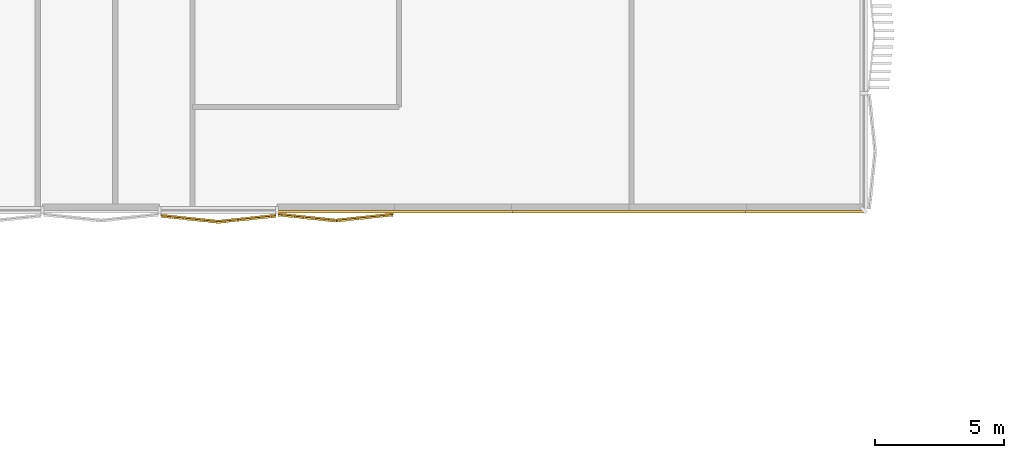
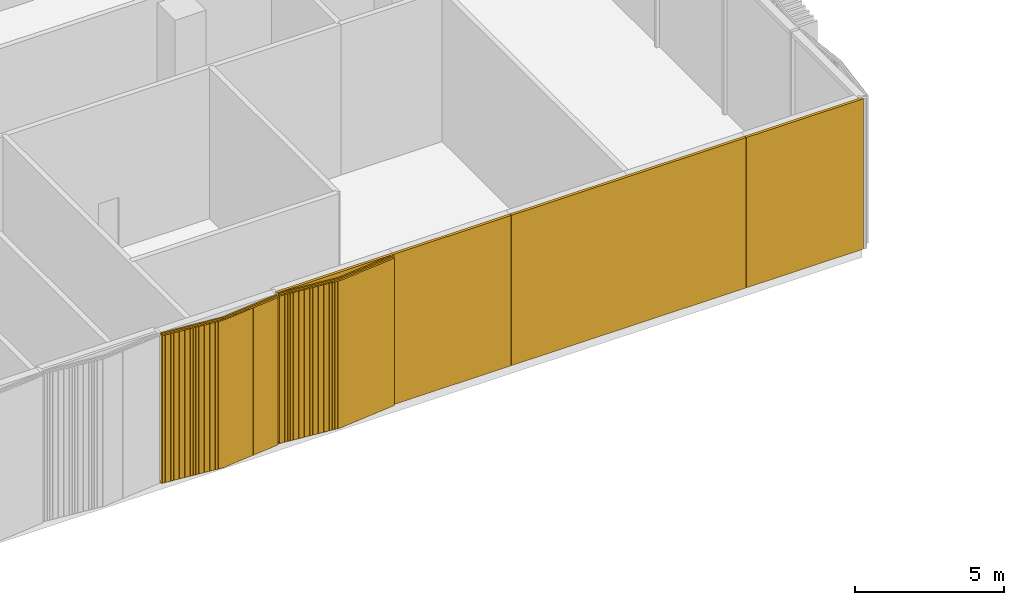
# One storey, part 23 of 32: 5 coverings.
"""IFC4 building model written with IfcOpenShell, lengths in metres."""

from ifc_helpers import new_model, si_unit, direction, frame, frame_2d, origin, origin_2d, place, context, subcontext, project, spatial, rectangle, extrude, source, transform, mapped, material, layer, layer_set, type_object, element, save


model = new_model("IFC4")

# Units and contexts
model_context = context("Model", 3, precision=1e-05, world=origin(), true_north=direction((0.0, 1.0)))
body_context = subcontext(model_context, "Body", "Model", "MODEL_VIEW")
ifc_project = project(units=[si_unit("LENGTHUNIT", "METRE"), si_unit("AREAUNIT", "SQUARE_METRE"), si_unit("VOLUMEUNIT", "CUBIC_METRE"), si_unit("PLANEANGLEUNIT", "RADIAN"), si_unit("MASSUNIT", "GRAM", prefix="KILO")], contexts=[model_context])

# Site, building, storey
site_placement = place(None, origin())
site = spatial("IfcSite", under=ifc_project, at=site_placement, CompositionType="ELEMENT")
building_placement = place(site_placement, origin())
building = spatial("IfcBuilding", under=site, at=building_placement, Name="Tamra Quay Hotel Tower", CompositionType="ELEMENT")
storey_placement = place(building_placement, frame((0.0, 0.0, 7.5)))
storey = spatial("IfcBuildingStorey", under=building, at=storey_placement, Name="L01", CompositionType="ELEMENT", Elevation=7.5)

# Coverings
ifc_material_1 = material(Name="Precast concrete M60 terracotta-coloured pierced relief", Category="masonry")
ifc_layer = layer(ifc_material_1, 0.10009765625)
ifc_layer_set = layer_set([ifc_layer], Name="PIERCED RELIEF PANEL 100")
covering_type_1 = type_object("IfcCoveringType", Name="PIERCED RELIEF PANEL 100", PredefinedType="CLADDING", material=ifc_layer_set)
for number, where, z_axis, x_axis, name in (
    (1, (-48.1845703125, -32.050048828125, 0.0), (0.0, 0.0, 1.0), (1.0, 0.0, 0.0), "Relief panel L01.SW.18"),
    (2, (-39.09228515625, -32.050048828125, 0.0), (0.0, 0.0, 1.0), (1.0, 0.0, 0.0), "Relief panel L01.SW.20"),
):
    element("IfcCovering", number, at=place(storey_placement, frame(where, z_axis=z_axis, x_axis=x_axis)), inside=storey, type_object=covering_type_1, Name=name, PredefinedType="CLADDING", context=body_context, shape_type="SweptSolid", body=[
        extrude(rectangle(XDim=9.072265625, YDim=0.10009765625, at=origin_2d()), origin(), (0.0, 0.0, 1.0), 6.14990234375),
    ])
covering_1_placement = place(storey_placement, frame((-32.273193359375, -32.050048828125, 0.0), z_axis=(0.0, 0.0, 1.0), x_axis=(1.0, 0.0, 0.0)))
element("IfcCovering", 3, at=covering_1_placement, inside=storey, type_object=covering_type_1, Name="Relief panel L01.SW.22", PredefinedType="CLADDING", context=body_context, shape_type="SweptSolid", body=[
    extrude(rectangle(XDim=4.526123046875, YDim=0.10009765625, at=origin_2d()), origin(), (0.0, 0.0, 1.0), 6.14990234375),
])
ifc_material_2 = material(Name="Terracotta baguette extruded", Category="masonry")
covering_type_2 = type_object("IfcCoveringType", Name="BAGUETTE SCREEN PODIUM-SHALLOW H6150", PredefinedType="USERDEFINED", material=ifc_material_2)
shared_shape_1 = source(origin(), body_context, "Body", "SweptSolid", [
    extrude(rectangle(XDim=2.244873046875, YDim=0.06005859375, at=frame_2d((1.12255859375, 0.030029296875))), frame((-2.23876953125, -0.0576171875, -0.1201171875), z_axis=(0.0, 0.0, 1.0), x_axis=(0.994521895368, -0.104528463268, 0.0)), (0.0, 0.0, 1.0), 0.1201171875),
    extrude(rectangle(XDim=2.244873046875, YDim=0.06005859375, at=frame_2d((1.12255859375, 0.030029296875))), frame((-2.23876953125, -0.0576171875, -6.14990234375), z_axis=(0.0, 0.0, 1.0), x_axis=(0.994521895368, -0.104528463268, 0.0)), (0.0, 0.0, 1.0), 0.1201171875),
    extrude(rectangle(XDim=0.094970703125, YDim=0.10009765625, at=frame_2d((0.04736328125, 0.050048828125))), frame((-2.229248046875, -0.13330078125, -6.090087890625)), (0.0, 0.0, 1.0), 6.030029296875),
    extrude(rectangle(XDim=0.094970703125, YDim=0.10009765625, at=frame_2d((0.04736328125, 0.050048828125))), frame((-2.127685546875, -0.14404296875, -6.090087890625)), (0.0, 0.0, 1.0), 6.030029296875),
    extrude(rectangle(XDim=0.094970703125, YDim=0.10009765625, at=frame_2d((0.04736328125, 0.050048828125))), frame((-2.0263671875, -0.154541015625, -6.090087890625)), (0.0, 0.0, 1.0), 6.030029296875),
    extrude(rectangle(XDim=0.094970703125, YDim=0.10009765625, at=frame_2d((0.04736328125, 0.050048828125))), frame((-1.9248046875, -0.165283203125, -6.090087890625)), (0.0, 0.0, 1.0), 6.030029296875),
    extrude(rectangle(XDim=0.094970703125, YDim=0.10009765625, at=frame_2d((0.04736328125, 0.050048828125))), frame((-1.8232421875, -0.176025390625, -6.090087890625)), (0.0, 0.0, 1.0), 6.030029296875),
    extrude(rectangle(XDim=0.094970703125, YDim=0.10009765625, at=frame_2d((0.04736328125, 0.050048828125))), frame((-1.721923828125, -0.186767578125, -6.090087890625)), (0.0, 0.0, 1.0), 6.030029296875),
    extrude(rectangle(XDim=0.094970703125, YDim=0.10009765625, at=frame_2d((0.04736328125, 0.050048828125))), frame((-1.620361328125, -0.197265625, -6.090087890625)), (0.0, 0.0, 1.0), 6.030029296875),
    extrude(rectangle(XDim=0.094970703125, YDim=0.10009765625, at=frame_2d((0.04736328125, 0.050048828125))), frame((-1.518798828125, -0.2080078125, -6.090087890625)), (0.0, 0.0, 1.0), 6.030029296875),
    extrude(rectangle(XDim=0.094970703125, YDim=0.10009765625, at=frame_2d((0.04736328125, 0.050048828125))), frame((-1.41748046875, -0.21875, -6.090087890625)), (0.0, 0.0, 1.0), 6.030029296875),
    extrude(rectangle(XDim=0.094970703125, YDim=0.10009765625, at=frame_2d((0.04736328125, 0.050048828125))), frame((-1.31591796875, -0.229248046875, -6.090087890625)), (0.0, 0.0, 1.0), 6.030029296875),
    extrude(rectangle(XDim=0.094970703125, YDim=0.10009765625, at=frame_2d((0.04736328125, 0.050048828125))), frame((-1.214599609375, -0.239990234375, -6.090087890625)), (0.0, 0.0, 1.0), 6.030029296875),
    extrude(rectangle(XDim=0.094970703125, YDim=0.10009765625, at=frame_2d((0.04736328125, 0.050048828125))), frame((-1.113037109375, -0.250732421875, -6.090087890625)), (0.0, 0.0, 1.0), 6.030029296875),
    extrude(rectangle(XDim=0.094970703125, YDim=0.10009765625, at=frame_2d((0.04736328125, 0.050048828125))), frame((-1.011474609375, -0.26123046875, -6.090087890625)), (0.0, 0.0, 1.0), 6.030029296875),
    extrude(rectangle(XDim=0.094970703125, YDim=0.10009765625, at=frame_2d((0.04736328125, 0.050048828125))), frame((-0.91015625, -0.27197265625, -6.090087890625)), (0.0, 0.0, 1.0), 6.030029296875),
    extrude(rectangle(XDim=0.094970703125, YDim=0.10009765625, at=frame_2d((0.04736328125, 0.050048828125))), frame((-0.80859375, -0.28271484375, -6.090087890625)), (0.0, 0.0, 1.0), 6.030029296875),
    extrude(rectangle(XDim=0.094970703125, YDim=0.10009765625, at=frame_2d((0.04736328125, 0.050048828125))), frame((-0.70703125, -0.293212890625, -6.090087890625)), (0.0, 0.0, 1.0), 6.030029296875),
    extrude(rectangle(XDim=0.094970703125, YDim=0.10009765625, at=frame_2d((0.04736328125, 0.050048828125))), frame((-0.605712890625, -0.303955078125, -6.090087890625)), (0.0, 0.0, 1.0), 6.030029296875),
    extrude(rectangle(XDim=0.094970703125, YDim=0.10009765625, at=frame_2d((0.04736328125, 0.050048828125))), frame((-0.504150390625, -0.314697265625, -6.090087890625)), (0.0, 0.0, 1.0), 6.030029296875),
    extrude(rectangle(XDim=0.094970703125, YDim=0.10009765625, at=frame_2d((0.04736328125, 0.050048828125))), frame((-0.402587890625, -0.325439453125, -6.090087890625)), (0.0, 0.0, 1.0), 6.030029296875),
    extrude(rectangle(XDim=0.094970703125, YDim=0.10009765625, at=frame_2d((0.04736328125, 0.050048828125))), frame((-0.30126953125, -0.3359375, -6.090087890625)), (0.0, 0.0, 1.0), 6.030029296875),
    extrude(rectangle(XDim=0.094970703125, YDim=0.10009765625, at=frame_2d((0.04736328125, 0.050048828125))), frame((-0.19970703125, -0.3466796875, -6.090087890625)), (0.0, 0.0, 1.0), 6.030029296875),
    extrude(rectangle(XDim=0.094970703125, YDim=0.10009765625, at=frame_2d((0.04736328125, 0.050048828125))), frame((-0.09814453125, -0.357421875, -6.090087890625)), (0.0, 0.0, 1.0), 6.030029296875),
    extrude(rectangle(XDim=2.244873046875, YDim=0.06005859375, at=frame_2d((1.12255859375, 0.030029296875))), frame((0.00634765625, -0.292236328125, -0.1201171875), z_axis=(0.0, 0.0, 1.0), x_axis=(0.994521895368, 0.104528463268, 0.0)), (0.0, 0.0, 1.0), 0.1201171875),
    extrude(rectangle(XDim=2.244873046875, YDim=0.06005859375, at=frame_2d((1.12255859375, 0.030029296875))), frame((0.00634765625, -0.292236328125, -6.14990234375), z_axis=(0.0, 0.0, 1.0), x_axis=(0.994521895368, 0.104528463268, 0.0)), (0.0, 0.0, 1.0), 0.1201171875),
    extrude(rectangle(XDim=0.094970703125, YDim=0.10009765625, at=frame_2d((0.04736328125, 0.050048828125))), frame((0.003173828125, -0.357421875, -6.090087890625)), (0.0, 0.0, 1.0), 6.030029296875),
    extrude(rectangle(XDim=0.094970703125, YDim=0.10009765625, at=frame_2d((0.04736328125, 0.050048828125))), frame((0.104736328125, -0.3466796875, -6.090087890625)), (0.0, 0.0, 1.0), 6.030029296875),
    extrude(rectangle(XDim=0.094970703125, YDim=0.10009765625, at=frame_2d((0.04736328125, 0.050048828125))), frame((0.206298828125, -0.3359375, -6.090087890625)), (0.0, 0.0, 1.0), 6.030029296875),
    extrude(rectangle(XDim=0.094970703125, YDim=0.10009765625, at=frame_2d((0.04736328125, 0.050048828125))), frame((0.3076171875, -0.325439453125, -6.090087890625)), (0.0, 0.0, 1.0), 6.030029296875),
    extrude(rectangle(XDim=0.094970703125, YDim=0.10009765625, at=frame_2d((0.04736328125, 0.050048828125))), frame((0.4091796875, -0.314697265625, -6.090087890625)), (0.0, 0.0, 1.0), 6.030029296875),
    extrude(rectangle(XDim=0.094970703125, YDim=0.10009765625, at=frame_2d((0.04736328125, 0.050048828125))), frame((0.510498046875, -0.303955078125, -6.090087890625)), (0.0, 0.0, 1.0), 6.030029296875),
    extrude(rectangle(XDim=0.094970703125, YDim=0.10009765625, at=frame_2d((0.04736328125, 0.050048828125))), frame((0.612060546875, -0.293212890625, -6.090087890625)), (0.0, 0.0, 1.0), 6.030029296875),
    extrude(rectangle(XDim=0.094970703125, YDim=0.10009765625, at=frame_2d((0.04736328125, 0.050048828125))), frame((0.713623046875, -0.28271484375, -6.090087890625)), (0.0, 0.0, 1.0), 6.030029296875),
    extrude(rectangle(XDim=0.094970703125, YDim=0.10009765625, at=frame_2d((0.04736328125, 0.050048828125))), frame((0.81494140625, -0.27197265625, -6.090087890625)), (0.0, 0.0, 1.0), 6.030029296875),
    extrude(rectangle(XDim=0.094970703125, YDim=0.10009765625, at=frame_2d((0.04736328125, 0.050048828125))), frame((0.91650390625, -0.26123046875, -6.090087890625)), (0.0, 0.0, 1.0), 6.030029296875),
    extrude(rectangle(XDim=0.094970703125, YDim=0.10009765625, at=frame_2d((0.04736328125, 0.050048828125))), frame((1.01806640625, -0.250732421875, -6.090087890625)), (0.0, 0.0, 1.0), 6.030029296875),
    extrude(rectangle(XDim=0.094970703125, YDim=0.10009765625, at=frame_2d((0.04736328125, 0.050048828125))), frame((1.119384765625, -0.239990234375, -6.090087890625)), (0.0, 0.0, 1.0), 6.030029296875),
    extrude(rectangle(XDim=0.094970703125, YDim=0.10009765625, at=frame_2d((0.04736328125, 0.050048828125))), frame((1.220947265625, -0.229248046875, -6.090087890625)), (0.0, 0.0, 1.0), 6.030029296875),
    extrude(rectangle(XDim=0.094970703125, YDim=0.10009765625, at=frame_2d((0.04736328125, 0.050048828125))), frame((1.322509765625, -0.21875, -6.090087890625)), (0.0, 0.0, 1.0), 6.030029296875),
    extrude(rectangle(XDim=0.094970703125, YDim=0.10009765625, at=frame_2d((0.04736328125, 0.050048828125))), frame((1.423828125, -0.2080078125, -6.090087890625)), (0.0, 0.0, 1.0), 6.030029296875),
    extrude(rectangle(XDim=0.094970703125, YDim=0.10009765625, at=frame_2d((0.04736328125, 0.050048828125))), frame((1.525390625, -0.197265625, -6.090087890625)), (0.0, 0.0, 1.0), 6.030029296875),
    extrude(rectangle(XDim=0.094970703125, YDim=0.10009765625, at=frame_2d((0.04736328125, 0.050048828125))), frame((1.626953125, -0.186767578125, -6.090087890625)), (0.0, 0.0, 1.0), 6.030029296875),
    extrude(rectangle(XDim=0.094970703125, YDim=0.10009765625, at=frame_2d((0.04736328125, 0.050048828125))), frame((1.728271484375, -0.176025390625, -6.090087890625)), (0.0, 0.0, 1.0), 6.030029296875),
    extrude(rectangle(XDim=0.094970703125, YDim=0.10009765625, at=frame_2d((0.04736328125, 0.050048828125))), frame((1.829833984375, -0.165283203125, -6.090087890625)), (0.0, 0.0, 1.0), 6.030029296875),
    extrude(rectangle(XDim=0.094970703125, YDim=0.10009765625, at=frame_2d((0.04736328125, 0.050048828125))), frame((1.931396484375, -0.154541015625, -6.090087890625)), (0.0, 0.0, 1.0), 6.030029296875),
    extrude(rectangle(XDim=0.094970703125, YDim=0.10009765625, at=frame_2d((0.04736328125, 0.050048828125))), frame((2.03271484375, -0.14404296875, -6.090087890625)), (0.0, 0.0, 1.0), 6.030029296875),
    extrude(rectangle(XDim=0.094970703125, YDim=0.10009765625, at=frame_2d((0.04736328125, 0.050048828125))), frame((2.13427734375, -0.13330078125, -6.090087890625)), (0.0, 0.0, 1.0), 6.030029296875),
])
covering_2_placement = place(storey_placement, frame((-55.00390625, -32.14794921875, 6.14990234375), z_axis=(0.0, 0.0, 1.0), x_axis=(1.0, 0.0, 0.0)))
element("IfcCovering", 4, at=covering_2_placement, inside=storey, type_object=covering_type_2, Name="Baguette screen L01.SW.f03", ObjectType="BAGUETTE SCREEN", PredefinedType="USERDEFINED", context=body_context, shape_type="MappedRepresentation", body=[
    mapped(shared_shape_1, transform((0.0, 0.0, 0.0), scale=1.0)),
])
covering_type_3 = type_object("IfcCoveringType", Name="BAGUETTE SCREEN SW-SHALLOW H6150", PredefinedType="USERDEFINED", material=ifc_material_2)
shared_shape_2 = source(origin(), body_context, "Body", "SweptSolid", [
    extrude(rectangle(XDim=2.244873046875, YDim=0.06005859375, at=frame_2d((1.12255859375, 0.030029296875))), frame((-2.23876953125, -0.0576171875, -0.1201171875), z_axis=(0.0, 0.0, 1.0), x_axis=(0.994521895368, -0.104528463268, 0.0)), (0.0, 0.0, 1.0), 0.1201171875),
    extrude(rectangle(XDim=2.244873046875, YDim=0.06005859375, at=frame_2d((1.12255859375, 0.030029296875))), frame((-2.23876953125, -0.0576171875, -6.14990234375), z_axis=(0.0, 0.0, 1.0), x_axis=(0.994521895368, -0.104528463268, 0.0)), (0.0, 0.0, 1.0), 0.1201171875),
    extrude(rectangle(XDim=0.094970703125, YDim=0.10009765625, at=frame_2d((0.04736328125, 0.050048828125))), frame((-2.229248046875, -0.13330078125, -6.090087890625)), (0.0, 0.0, 1.0), 6.030029296875),
    extrude(rectangle(XDim=0.094970703125, YDim=0.10009765625, at=frame_2d((0.04736328125, 0.050048828125))), frame((-2.127685546875, -0.14404296875, -6.090087890625)), (0.0, 0.0, 1.0), 6.030029296875),
    extrude(rectangle(XDim=0.094970703125, YDim=0.10009765625, at=frame_2d((0.04736328125, 0.050048828125))), frame((-2.0263671875, -0.154541015625, -6.090087890625)), (0.0, 0.0, 1.0), 6.030029296875),
    extrude(rectangle(XDim=0.094970703125, YDim=0.10009765625, at=frame_2d((0.04736328125, 0.050048828125))), frame((-1.9248046875, -0.165283203125, -6.090087890625)), (0.0, 0.0, 1.0), 6.030029296875),
    extrude(rectangle(XDim=0.094970703125, YDim=0.10009765625, at=frame_2d((0.04736328125, 0.050048828125))), frame((-1.8232421875, -0.176025390625, -6.090087890625)), (0.0, 0.0, 1.0), 6.030029296875),
    extrude(rectangle(XDim=0.094970703125, YDim=0.10009765625, at=frame_2d((0.04736328125, 0.050048828125))), frame((-1.721923828125, -0.186767578125, -6.090087890625)), (0.0, 0.0, 1.0), 6.030029296875),
    extrude(rectangle(XDim=0.094970703125, YDim=0.10009765625, at=frame_2d((0.04736328125, 0.050048828125))), frame((-1.620361328125, -0.197265625, -6.090087890625)), (0.0, 0.0, 1.0), 6.030029296875),
    extrude(rectangle(XDim=0.094970703125, YDim=0.10009765625, at=frame_2d((0.04736328125, 0.050048828125))), frame((-1.518798828125, -0.2080078125, -6.090087890625)), (0.0, 0.0, 1.0), 6.030029296875),
    extrude(rectangle(XDim=0.094970703125, YDim=0.10009765625, at=frame_2d((0.04736328125, 0.050048828125))), frame((-1.41748046875, -0.21875, -6.090087890625)), (0.0, 0.0, 1.0), 6.030029296875),
    extrude(rectangle(XDim=0.094970703125, YDim=0.10009765625, at=frame_2d((0.04736328125, 0.050048828125))), frame((-1.31591796875, -0.229248046875, -6.090087890625)), (0.0, 0.0, 1.0), 6.030029296875),
    extrude(rectangle(XDim=0.094970703125, YDim=0.10009765625, at=frame_2d((0.04736328125, 0.050048828125))), frame((-1.214599609375, -0.239990234375, -6.090087890625)), (0.0, 0.0, 1.0), 6.030029296875),
    extrude(rectangle(XDim=0.094970703125, YDim=0.10009765625, at=frame_2d((0.04736328125, 0.050048828125))), frame((-1.113037109375, -0.250732421875, -6.090087890625)), (0.0, 0.0, 1.0), 6.030029296875),
    extrude(rectangle(XDim=0.094970703125, YDim=0.10009765625, at=frame_2d((0.04736328125, 0.050048828125))), frame((-1.011474609375, -0.26123046875, -6.090087890625)), (0.0, 0.0, 1.0), 6.030029296875),
    extrude(rectangle(XDim=0.094970703125, YDim=0.10009765625, at=frame_2d((0.04736328125, 0.050048828125))), frame((-0.91015625, -0.27197265625, -6.090087890625)), (0.0, 0.0, 1.0), 6.030029296875),
    extrude(rectangle(XDim=0.094970703125, YDim=0.10009765625, at=frame_2d((0.04736328125, 0.050048828125))), frame((-0.80859375, -0.28271484375, -6.090087890625)), (0.0, 0.0, 1.0), 6.030029296875),
    extrude(rectangle(XDim=0.094970703125, YDim=0.10009765625, at=frame_2d((0.04736328125, 0.050048828125))), frame((-0.70703125, -0.293212890625, -6.090087890625)), (0.0, 0.0, 1.0), 6.030029296875),
    extrude(rectangle(XDim=0.094970703125, YDim=0.10009765625, at=frame_2d((0.04736328125, 0.050048828125))), frame((-0.605712890625, -0.303955078125, -6.090087890625)), (0.0, 0.0, 1.0), 6.030029296875),
    extrude(rectangle(XDim=0.094970703125, YDim=0.10009765625, at=frame_2d((0.04736328125, 0.050048828125))), frame((-0.504150390625, -0.314697265625, -6.090087890625)), (0.0, 0.0, 1.0), 6.030029296875),
    extrude(rectangle(XDim=0.094970703125, YDim=0.10009765625, at=frame_2d((0.04736328125, 0.050048828125))), frame((-0.402587890625, -0.325439453125, -6.090087890625)), (0.0, 0.0, 1.0), 6.030029296875),
    extrude(rectangle(XDim=0.094970703125, YDim=0.10009765625, at=frame_2d((0.04736328125, 0.050048828125))), frame((-0.30126953125, -0.3359375, -6.090087890625)), (0.0, 0.0, 1.0), 6.030029296875),
    extrude(rectangle(XDim=0.094970703125, YDim=0.10009765625, at=frame_2d((0.04736328125, 0.050048828125))), frame((-0.19970703125, -0.3466796875, -6.090087890625)), (0.0, 0.0, 1.0), 6.030029296875),
    extrude(rectangle(XDim=0.094970703125, YDim=0.10009765625, at=frame_2d((0.04736328125, 0.050048828125))), frame((-0.09814453125, -0.357421875, -6.090087890625)), (0.0, 0.0, 1.0), 6.030029296875),
    extrude(rectangle(XDim=2.244873046875, YDim=0.06005859375, at=frame_2d((1.12255859375, 0.030029296875))), frame((0.00634765625, -0.292236328125, -0.1201171875), z_axis=(0.0, 0.0, 1.0), x_axis=(0.994521895368, 0.104528463268, 0.0)), (0.0, 0.0, 1.0), 0.1201171875),
    extrude(rectangle(XDim=2.244873046875, YDim=0.06005859375, at=frame_2d((1.12255859375, 0.030029296875))), frame((0.00634765625, -0.292236328125, -6.14990234375), z_axis=(0.0, 0.0, 1.0), x_axis=(0.994521895368, 0.104528463268, 0.0)), (0.0, 0.0, 1.0), 0.1201171875),
    extrude(rectangle(XDim=0.094970703125, YDim=0.10009765625, at=frame_2d((0.04736328125, 0.050048828125))), frame((0.003173828125, -0.357421875, -6.090087890625)), (0.0, 0.0, 1.0), 6.030029296875),
    extrude(rectangle(XDim=0.094970703125, YDim=0.10009765625, at=frame_2d((0.04736328125, 0.050048828125))), frame((0.104736328125, -0.3466796875, -6.090087890625)), (0.0, 0.0, 1.0), 6.030029296875),
    extrude(rectangle(XDim=0.094970703125, YDim=0.10009765625, at=frame_2d((0.04736328125, 0.050048828125))), frame((0.206298828125, -0.3359375, -6.090087890625)), (0.0, 0.0, 1.0), 6.030029296875),
    extrude(rectangle(XDim=0.094970703125, YDim=0.10009765625, at=frame_2d((0.04736328125, 0.050048828125))), frame((0.3076171875, -0.325439453125, -6.090087890625)), (0.0, 0.0, 1.0), 6.030029296875),
    extrude(rectangle(XDim=0.094970703125, YDim=0.10009765625, at=frame_2d((0.04736328125, 0.050048828125))), frame((0.4091796875, -0.314697265625, -6.090087890625)), (0.0, 0.0, 1.0), 6.030029296875),
    extrude(rectangle(XDim=0.094970703125, YDim=0.10009765625, at=frame_2d((0.04736328125, 0.050048828125))), frame((0.510498046875, -0.303955078125, -6.090087890625)), (0.0, 0.0, 1.0), 6.030029296875),
    extrude(rectangle(XDim=0.094970703125, YDim=0.10009765625, at=frame_2d((0.04736328125, 0.050048828125))), frame((0.612060546875, -0.293212890625, -6.090087890625)), (0.0, 0.0, 1.0), 6.030029296875),
    extrude(rectangle(XDim=0.094970703125, YDim=0.10009765625, at=frame_2d((0.04736328125, 0.050048828125))), frame((0.713623046875, -0.28271484375, -6.090087890625)), (0.0, 0.0, 1.0), 6.030029296875),
    extrude(rectangle(XDim=0.094970703125, YDim=0.10009765625, at=frame_2d((0.04736328125, 0.050048828125))), frame((0.81494140625, -0.27197265625, -6.090087890625)), (0.0, 0.0, 1.0), 6.030029296875),
    extrude(rectangle(XDim=0.094970703125, YDim=0.10009765625, at=frame_2d((0.04736328125, 0.050048828125))), frame((0.91650390625, -0.26123046875, -6.090087890625)), (0.0, 0.0, 1.0), 6.030029296875),
    extrude(rectangle(XDim=0.094970703125, YDim=0.10009765625, at=frame_2d((0.04736328125, 0.050048828125))), frame((1.01806640625, -0.250732421875, -6.090087890625)), (0.0, 0.0, 1.0), 6.030029296875),
    extrude(rectangle(XDim=0.094970703125, YDim=0.10009765625, at=frame_2d((0.04736328125, 0.050048828125))), frame((1.119384765625, -0.239990234375, -6.090087890625)), (0.0, 0.0, 1.0), 6.030029296875),
    extrude(rectangle(XDim=0.094970703125, YDim=0.10009765625, at=frame_2d((0.04736328125, 0.050048828125))), frame((1.220947265625, -0.229248046875, -6.090087890625)), (0.0, 0.0, 1.0), 6.030029296875),
    extrude(rectangle(XDim=0.094970703125, YDim=0.10009765625, at=frame_2d((0.04736328125, 0.050048828125))), frame((1.322509765625, -0.21875, -6.090087890625)), (0.0, 0.0, 1.0), 6.030029296875),
    extrude(rectangle(XDim=0.094970703125, YDim=0.10009765625, at=frame_2d((0.04736328125, 0.050048828125))), frame((1.423828125, -0.2080078125, -6.090087890625)), (0.0, 0.0, 1.0), 6.030029296875),
    extrude(rectangle(XDim=0.094970703125, YDim=0.10009765625, at=frame_2d((0.04736328125, 0.050048828125))), frame((1.525390625, -0.197265625, -6.090087890625)), (0.0, 0.0, 1.0), 6.030029296875),
    extrude(rectangle(XDim=0.094970703125, YDim=0.10009765625, at=frame_2d((0.04736328125, 0.050048828125))), frame((1.626953125, -0.186767578125, -6.090087890625)), (0.0, 0.0, 1.0), 6.030029296875),
    extrude(rectangle(XDim=0.094970703125, YDim=0.10009765625, at=frame_2d((0.04736328125, 0.050048828125))), frame((1.728271484375, -0.176025390625, -6.090087890625)), (0.0, 0.0, 1.0), 6.030029296875),
    extrude(rectangle(XDim=0.094970703125, YDim=0.10009765625, at=frame_2d((0.04736328125, 0.050048828125))), frame((1.829833984375, -0.165283203125, -6.090087890625)), (0.0, 0.0, 1.0), 6.030029296875),
    extrude(rectangle(XDim=0.094970703125, YDim=0.10009765625, at=frame_2d((0.04736328125, 0.050048828125))), frame((1.931396484375, -0.154541015625, -6.090087890625)), (0.0, 0.0, 1.0), 6.030029296875),
    extrude(rectangle(XDim=0.094970703125, YDim=0.10009765625, at=frame_2d((0.04736328125, 0.050048828125))), frame((2.03271484375, -0.14404296875, -6.090087890625)), (0.0, 0.0, 1.0), 6.030029296875),
    extrude(rectangle(XDim=0.094970703125, YDim=0.10009765625, at=frame_2d((0.04736328125, 0.050048828125))), frame((2.13427734375, -0.13330078125, -6.090087890625)), (0.0, 0.0, 1.0), 6.030029296875),
])
covering_3_placement = place(storey_placement, frame((-50.457763671875, -32.10009765625, 6.14990234375), z_axis=(0.0, 0.0, 1.0), x_axis=(1.0, 0.0, 0.0)))
element("IfcCovering", 5, at=covering_3_placement, inside=storey, type_object=covering_type_3, Name="Baguette screen wing.L01.SW.18", ObjectType="BAGUETTE SCREEN", PredefinedType="USERDEFINED", context=body_context, shape_type="MappedRepresentation", body=[
    mapped(shared_shape_2, transform((0.0, 0.0, 0.0), scale=1.0)),
])

save(model, "model.ifc")
